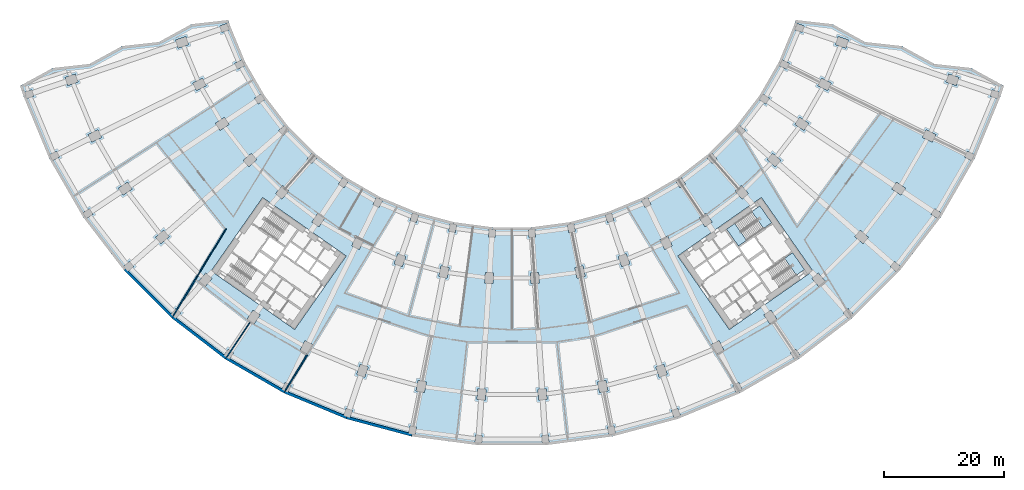
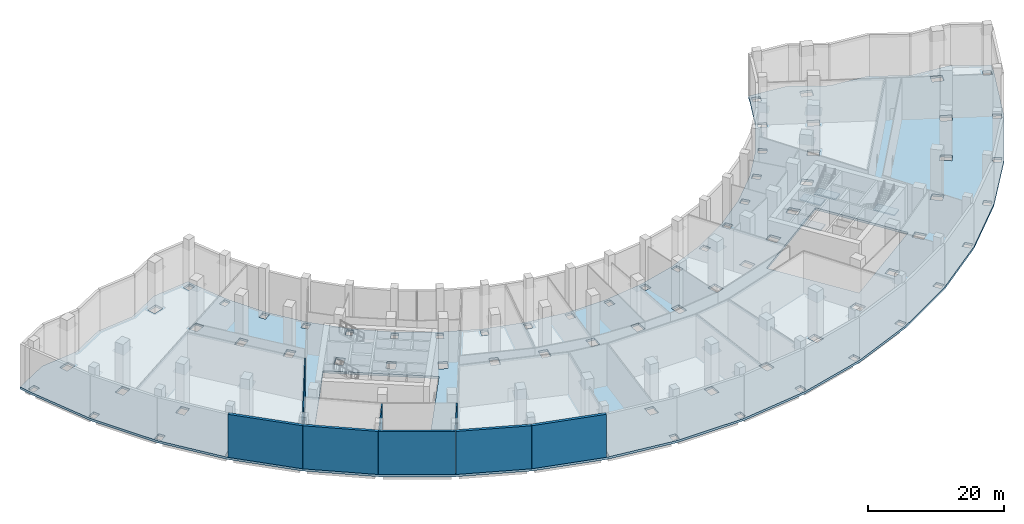
# One storey, part 4 of 19: 9 walls, 5 slabs, 2 elements without a shape of their own.
"""IFC4 building model written with IfcOpenShell, lengths in metres."""

from ifc_helpers import new_model, si_unit, direction, frame, frame_2d, origin, place, context, subcontext, project, spatial, polyline, rectangle, outline, extrude, material, layer, layer_set, type_object, element, aggregate, save


model = new_model("IFC4")

# Units and contexts
model_context = context("Model", 3, precision=1e-05, world=origin(), true_north=direction((0.0, 1.0)))
body_context = subcontext(model_context, "Body", "Model", "MODEL_VIEW")
ifc_project = project(units=[si_unit("LENGTHUNIT", "METRE"), si_unit("AREAUNIT", "SQUARE_METRE"), si_unit("VOLUMEUNIT", "CUBIC_METRE"), si_unit("PLANEANGLEUNIT", "RADIAN"), si_unit("MASSUNIT", "GRAM", prefix="KILO")], contexts=[model_context])

# Site, building, storey
site_placement = place(None, origin())
site = spatial("IfcSite", under=ifc_project, at=site_placement, CompositionType="ELEMENT")
building_placement = place(site_placement, origin())
building = spatial("IfcBuilding", under=site, at=building_placement, Name="Qamariyya Broadcast Tower", CompositionType="ELEMENT")
storey_placement = place(building_placement, frame((0.0, 0.0, 9.0)))
storey = spatial("IfcBuildingStorey", under=building, at=storey_placement, Name="L01", CompositionType="ELEMENT", Elevation=9.0)

# Slab
ifc_material_1 = material(Name="Concrete C40/50", Category="concrete")
ifc_layer_1 = layer(ifc_material_1, 0.39990234375)
ifc_layer_set_1 = layer_set([ifc_layer_1], Name="Post-tensioned floor slab 400 C40/50")
slab_type_1 = type_object("IfcSlabType", Name="Post-tensioned floor slab 400 C40/50", PredefinedType="FLOOR", material=ifc_layer_set_1)
slab_1_placement = place(storey_placement, frame((0.0, 0.0, -0.39990234375)))
element("IfcSlab", 1, at=slab_1_placement, inside=storey, type_object=slab_type_1, Name="Floor slab S3 L01", PredefinedType="FLOOR", context=body_context, shape_type="SweptSolid", body=[
    extrude(outline(polyline([(-76.78857421875, -23.0263671875), (-82.2353515625, -26.007568359375), (-81.672607421875, -27.72412109375), (-77.355224609375, -38.1474609375), (-71.71435546875, -47.91796875), (-64.84619140625, -56.86865234375), (-56.86865234375, -64.84619140625), (-47.91796875, -71.71435546875), (-38.1474609375, -77.355224609375), (-27.72412109375, -81.672607421875), (-16.82666015625, -84.5927734375), (-5.64111328125, -86.0654296875), (5.64111328125, -86.0654296875), (16.82666015625, -84.5927734375), (27.72412109375, -81.672607421875), (38.1474609375, -77.355224609375), (47.91796875, -71.71435546875), (56.86865234375, -64.84619140625), (64.84619140625, -56.86865234375), (71.71435546875, -47.91796875), (77.355224609375, -38.1474609375), (81.672607421875, -27.72412109375), (82.2353515625, -26.007568359375), (76.78857421875, -23.0263671875), (70.635009765625, -22.3388671875), (65.1865234375, -19.357421875), (59.03466796875, -18.670166015625), (53.583984375, -15.68798828125), (47.434326171875, -15.00146484375), (47.10986328125, -15.99169921875), (44.619384765625, -22.00390625), (41.36572265625, -27.6396484375), (37.404052734375, -32.802490234375), (32.802490234375, -37.404052734375), (27.6396484375, -41.36572265625), (22.00390625, -44.619384765625), (15.99169921875, -47.10986328125), (9.705810546875, -48.794189453125), (3.25390625, -49.6435546875), (-3.25390625, -49.6435546875), (-9.705810546875, -48.794189453125), (-15.99169921875, -47.10986328125), (-22.00390625, -44.619384765625), (-27.6396484375, -41.36572265625), (-32.802490234375, -37.404052734375), (-37.404052734375, -32.802490234375), (-41.36572265625, -27.6396484375), (-44.619384765625, -22.00390625), (-47.10986328125, -15.99169921875), (-47.434326171875, -15.00146484375), (-53.583984375, -15.68798828125), (-59.03466796875, -18.670166015625), (-65.1865234375, -19.357421875), (-70.635009765625, -22.3388671875), (-76.78857421875, -23.0263671875)]), holes=[polyline([(-27.714599609375, -79.93359375), (-26.6728515625, -80.287109375), (-27.0908203125, -81.51806640625), (-28.132568359375, -81.16455078125), (-27.714599609375, -79.93359375)]), polyline([(-37.910888671875, -75.632080078125), (-36.92431640625, -76.11865234375), (-37.499267578125, -77.28466796875), (-38.48583984375, -76.798095703125), (-37.910888671875, -75.632080078125)]), polyline([(-47.45849609375, -70.036865234375), (-46.5439453125, -70.64794921875), (-47.26611328125, -71.728759765625), (-48.180908203125, -71.11767578125), (-47.45849609375, -70.036865234375)]), polyline([(-33.362060546875, -69.234375), (-34.158203125, -70.8486328125), (-35.413818359375, -70.2294921875), (-34.61767578125, -68.614990234375), (-33.362060546875, -69.234375)]), polyline([(-42.113525390625, -64.287353515625), (-43.113525390625, -65.783935546875), (-44.277587890625, -65.006103515625), (-43.277587890625, -63.509521484375), (-42.113525390625, -64.287353515625)]), polyline([(-56.194091796875, -63.242919921875), (-55.3671875, -63.96826171875), (-56.224365234375, -64.94580078125), (-57.05126953125, -64.220458984375), (-56.194091796875, -63.242919921875)]), polyline([(-51.197021484375, -57.3173828125), (-50.14453125, -58.240478515625), (-51.331298828125, -59.59375), (-52.3837890625, -58.670654296875), (-51.197021484375, -57.3173828125)]), polyline([(-63.96826171875, -55.3671875), (-63.242919921875, -56.194091796875), (-64.220458984375, -57.05126953125), (-64.94580078125, -56.224365234375), (-63.96826171875, -55.3671875)]), polyline([(-27.719970703125, -54.447021484375), (-36.32373046875, -66.734375), (-50.286376953125, -56.95751953125), (-41.6826171875, -44.67041015625), (-27.719970703125, -54.447021484375)]), polyline([(-57.3173828125, -51.197021484375), (-58.670654296875, -52.3837890625), (-59.59375, -51.331298828125), (-58.240478515625, -50.14453125), (-57.3173828125, -51.197021484375)]), polyline([(-32.444091796875, -47.2958984375), (-31.280029296875, -48.07373046875), (-32.280029296875, -49.5703125), (-33.444091796875, -48.79248046875), (-32.444091796875, -47.2958984375)]), polyline([(-70.64794921875, -46.5439453125), (-70.036865234375, -47.45849609375), (-71.11767578125, -48.180908203125), (-71.728759765625, -47.26611328125), (-70.64794921875, -46.5439453125)]), polyline([(-38.33984375, -42.656494140625), (-37.287109375, -43.57958984375), (-38.47412109375, -44.932861328125), (-39.526611328125, -44.009765625), (-38.33984375, -42.656494140625)]), polyline([(-63.509521484375, -43.277587890625), (-65.006103515625, -44.277587890625), (-65.783935546875, -43.113525390625), (-64.287353515625, -42.113525390625), (-63.509521484375, -43.277587890625)]), polyline([(-27.376708984375, -41.962158203125), (-28.09912109375, -43.043212890625), (-29.013671875, -42.431884765625), (-28.291259765625, -41.35107421875), (-27.376708984375, -41.962158203125)]), polyline([(-43.57958984375, -37.287109375), (-42.656494140625, -38.33984375), (-44.009765625, -39.526611328125), (-44.932861328125, -38.47412109375), (-43.57958984375, -37.287109375)]), polyline([(-33.44677734375, -37.304443359375), (-32.61962890625, -38.02978515625), (-33.476806640625, -39.00732421875), (-34.303955078125, -38.281982421875), (-33.44677734375, -37.304443359375)]), polyline([(-76.11865234375, -36.92431640625), (-75.632080078125, -37.910888671875), (-76.798095703125, -38.48583984375), (-77.28466796875, -37.499267578125), (-76.11865234375, -36.92431640625)]), polyline([(-68.614990234375, -34.61767578125), (-70.2294921875, -35.413818359375), (-70.8486328125, -34.158203125), (-69.234375, -33.362060546875), (-68.614990234375, -34.61767578125)]), polyline([(-37.304443359375, -33.44677734375), (-38.281982421875, -34.303955078125), (-39.00732421875, -33.476806640625), (-38.02978515625, -32.61962890625), (-37.304443359375, -33.44677734375)]), polyline([(-48.07373046875, -31.280029296875), (-47.2958984375, -32.444091796875), (-48.79248046875, -33.444091796875), (-49.5703125, -32.280029296875), (-48.07373046875, -31.280029296875)]), polyline([(-41.962158203125, -27.376708984375), (-41.35107421875, -28.291259765625), (-42.431884765625, -29.013671875), (-43.043212890625, -28.09912109375), (-41.962158203125, -27.376708984375)]), polyline([(-80.287109375, -26.6728515625), (-79.93359375, -27.714599609375), (-81.16455078125, -28.132568359375), (-81.51806640625, -27.0908203125), (-80.287109375, -26.6728515625)]), polyline([(-51.1259765625, -25.9931640625), (-52.740478515625, -26.789306640625), (-53.359619140625, -25.533447265625), (-51.745361328125, -24.737548828125), (-51.1259765625, -25.9931640625)]), polyline([(-72.546630859375, -25.365478515625), (-74.2509765625, -25.944091796875), (-74.701171875, -24.618408203125), (-72.99658203125, -24.039794921875), (-72.546630859375, -25.365478515625)]), polyline([(-45.176513671875, -21.665283203125), (-44.690185546875, -22.65185546875), (-45.85595703125, -23.226806640625), (-46.342529296875, -22.240478515625), (-45.176513671875, -21.665283203125)]), polyline([(-54.531494140625, -17.771728515625), (-54.08154296875, -19.097412109375), (-55.785888671875, -19.676025390625), (-56.23583984375, -18.350341796875), (-54.531494140625, -17.771728515625)]), polyline([(-47.617919921875, -15.583251953125), (-47.264404296875, -16.625), (-48.495361328125, -17.042724609375), (-48.84912109375, -16.001220703125), (-47.617919921875, -15.583251953125)]), polyline([(6.08203125, -84.3828125), (6.1669921875, -85.68017578125), (5.0693359375, -85.751953125), (4.984375, -84.454833984375), (6.08203125, -84.3828125)]), polyline([(-4.984375, -84.454833984375), (-5.0693359375, -85.751953125), (-6.1669921875, -85.68017578125), (-6.08203125, -84.3828125), (-4.984375, -84.454833984375)]), polyline([(-17.044189453125, -82.8671875), (-15.965087890625, -83.081787109375), (-16.21875, -84.356689453125), (-17.297607421875, -84.14208984375), (-17.044189453125, -82.8671875)]), polyline([(15.965087890625, -83.081787109375), (17.044189453125, -82.8671875), (17.297607421875, -84.14208984375), (16.21875, -84.356689453125), (15.965087890625, -83.081787109375)]), polyline([(26.6728515625, -80.287109375), (27.714599609375, -79.93359375), (28.132568359375, -81.16455078125), (27.0908203125, -81.51806640625), (26.6728515625, -80.287109375)]), polyline([(-4.32763671875, -76.731201171875), (-4.445556640625, -78.52734375), (-5.842529296875, -78.435791015625), (-5.724853515625, -76.6396484375), (-4.32763671875, -76.731201171875)]), polyline([(5.724853515625, -76.6396484375), (5.842529296875, -78.435791015625), (4.445556640625, -78.52734375), (4.32763671875, -76.731201171875), (5.724853515625, -76.6396484375)]), polyline([(-15.67919921875, -75.23681640625), (-14.30615234375, -75.510009765625), (-14.6572265625, -77.275390625), (-16.030517578125, -77.002197265625), (-15.67919921875, -75.23681640625)]), polyline([(15.67919921875, -75.23681640625), (16.030517578125, -77.002197265625), (14.6572265625, -77.275390625), (14.30615234375, -75.510009765625), (15.67919921875, -75.23681640625)]), polyline([(-24.039794921875, -72.99658203125), (-24.618408203125, -74.701171875), (-25.944091796875, -74.2509765625), (-25.365478515625, -72.546630859375), (-24.039794921875, -72.99658203125)]), polyline([(24.039794921875, -72.99658203125), (25.365478515625, -72.546630859375), (25.944091796875, -74.2509765625), (24.618408203125, -74.701171875), (24.039794921875, -72.99658203125)]), polyline([(4.449462890625, -57.181396484375), (4.567138671875, -58.9775390625), (3.170166015625, -59.069091796875), (3.05224609375, -57.27294921875), (4.449462890625, -57.181396484375)]), polyline([(-3.05224609375, -57.27294921875), (-3.170166015625, -59.069091796875), (-4.567138671875, -58.9775390625), (-4.449462890625, -57.181396484375), (-3.05224609375, -57.27294921875)]), polyline([(10.501953125, -56.384521484375), (11.875, -56.111572265625), (12.22607421875, -57.876953125), (10.85302734375, -58.14990234375), (10.501953125, -56.384521484375)]), polyline([(-11.875, -56.111572265625), (-10.501953125, -56.384521484375), (-10.85302734375, -58.14990234375), (-12.22607421875, -57.876953125), (-11.875, -56.111572265625)]), polyline([(17.771728515625, -54.531494140625), (19.097412109375, -54.08154296875), (19.676025390625, -55.785888671875), (18.350341796875, -56.23583984375), (17.771728515625, -54.531494140625)]), polyline([(-17.771728515625, -54.531494140625), (-18.350341796875, -56.23583984375), (-19.676025390625, -55.785888671875), (-19.097412109375, -54.08154296875), (-17.771728515625, -54.531494140625)]), polyline([(-24.737548828125, -51.745361328125), (-25.533447265625, -53.359619140625), (-26.789306640625, -52.740478515625), (-25.9931640625, -51.1259765625), (-24.737548828125, -51.745361328125)]), polyline([(24.737548828125, -51.745361328125), (25.9931640625, -51.1259765625), (26.789306640625, -52.740478515625), (25.533447265625, -53.359619140625), (24.737548828125, -51.745361328125)]), polyline([(-3.825439453125, -49.956787109375), (-2.727783203125, -50.02880859375), (-2.81298828125, -51.325927734375), (-3.91064453125, -51.25390625), (-3.825439453125, -49.956787109375)]), polyline([(2.727783203125, -50.02880859375), (3.825439453125, -49.956787109375), (3.91064453125, -51.25390625), (2.81298828125, -51.325927734375), (2.727783203125, -50.02880859375)]), polyline([(-9.234619140625, -49.24462890625), (-9.48828125, -50.519775390625), (-10.567138671875, -50.30517578125), (-10.3134765625, -49.030029296875), (-9.234619140625, -49.24462890625)]), polyline([(10.3134765625, -49.030029296875), (10.567138671875, -50.30517578125), (9.48828125, -50.519775390625), (9.234619140625, -49.24462890625), (10.3134765625, -49.030029296875)]), polyline([(15.583251953125, -47.617919921875), (16.625, -47.264404296875), (17.042724609375, -48.495361328125), (16.001220703125, -48.84912109375), (15.583251953125, -47.617919921875)]), polyline([(-16.625, -47.264404296875), (-15.583251953125, -47.617919921875), (-16.001220703125, -48.84912109375), (-17.042724609375, -48.495361328125), (-16.625, -47.264404296875)]), polyline([(21.665283203125, -45.176513671875), (22.65185546875, -44.690185546875), (23.226806640625, -45.85595703125), (22.240478515625, -46.342529296875), (21.665283203125, -45.176513671875)]), polyline([(-21.665283203125, -45.176513671875), (-22.240478515625, -46.342529296875), (-23.226806640625, -45.85595703125), (-22.65185546875, -44.690185546875), (-21.665283203125, -45.176513671875)]), polyline([(28.291259765625, -41.35107421875), (29.013671875, -42.431884765625), (28.09912109375, -43.043212890625), (27.376708984375, -41.962158203125), (28.291259765625, -41.35107421875)]), polyline([(36.92431640625, -76.11865234375), (37.910888671875, -75.632080078125), (38.48583984375, -76.798095703125), (37.499267578125, -77.28466796875), (36.92431640625, -76.11865234375)]), polyline([(46.5439453125, -70.64794921875), (47.45849609375, -70.036865234375), (48.180908203125, -71.11767578125), (47.26611328125, -71.728759765625), (46.5439453125, -70.64794921875)]), polyline([(33.362060546875, -69.234375), (34.61767578125, -68.614990234375), (35.413818359375, -70.2294921875), (34.158203125, -70.8486328125), (33.362060546875, -69.234375)]), polyline([(43.277587890625, -63.509521484375), (44.277587890625, -65.006103515625), (43.113525390625, -65.783935546875), (42.113525390625, -64.287353515625), (43.277587890625, -63.509521484375)]), polyline([(56.194091796875, -63.242919921875), (57.05126953125, -64.220458984375), (56.224365234375, -64.94580078125), (55.3671875, -63.96826171875), (56.194091796875, -63.242919921875)]), polyline([(50.14453125, -58.240478515625), (51.197021484375, -57.3173828125), (52.3837890625, -58.670654296875), (51.331298828125, -59.59375), (50.14453125, -58.240478515625)]), polyline([(63.242919921875, -56.194091796875), (63.96826171875, -55.3671875), (64.94580078125, -56.224365234375), (64.220458984375, -57.05126953125), (63.242919921875, -56.194091796875)]), polyline([(27.719970703125, -54.447021484375), (41.6826171875, -44.67041015625), (50.286376953125, -56.95751953125), (36.32373046875, -66.734375), (27.719970703125, -54.447021484375)]), polyline([(58.240478515625, -50.14453125), (59.59375, -51.331298828125), (58.670654296875, -52.3837890625), (57.3173828125, -51.197021484375), (58.240478515625, -50.14453125)]), polyline([(32.444091796875, -47.2958984375), (33.444091796875, -48.79248046875), (32.280029296875, -49.5703125), (31.280029296875, -48.07373046875), (32.444091796875, -47.2958984375)]), polyline([(70.036865234375, -47.45849609375), (70.64794921875, -46.5439453125), (71.728759765625, -47.26611328125), (71.11767578125, -48.180908203125), (70.036865234375, -47.45849609375)]), polyline([(37.287109375, -43.57958984375), (38.33984375, -42.656494140625), (39.526611328125, -44.009765625), (38.47412109375, -44.932861328125), (37.287109375, -43.57958984375)]), polyline([(63.509521484375, -43.277587890625), (64.287353515625, -42.113525390625), (65.783935546875, -43.113525390625), (65.006103515625, -44.277587890625), (63.509521484375, -43.277587890625)]), polyline([(43.57958984375, -37.287109375), (44.932861328125, -38.47412109375), (44.009765625, -39.526611328125), (42.656494140625, -38.33984375), (43.57958984375, -37.287109375)]), polyline([(33.44677734375, -37.304443359375), (34.303955078125, -38.281982421875), (33.476806640625, -39.00732421875), (32.61962890625, -38.02978515625), (33.44677734375, -37.304443359375)]), polyline([(75.632080078125, -37.910888671875), (76.11865234375, -36.92431640625), (77.28466796875, -37.499267578125), (76.798095703125, -38.48583984375), (75.632080078125, -37.910888671875)]), polyline([(68.614990234375, -34.61767578125), (69.234375, -33.362060546875), (70.8486328125, -34.158203125), (70.2294921875, -35.413818359375), (68.614990234375, -34.61767578125)]), polyline([(37.304443359375, -33.44677734375), (38.02978515625, -32.61962890625), (39.00732421875, -33.476806640625), (38.281982421875, -34.303955078125), (37.304443359375, -33.44677734375)]), polyline([(48.07373046875, -31.280029296875), (49.5703125, -32.280029296875), (48.79248046875, -33.444091796875), (47.2958984375, -32.444091796875), (48.07373046875, -31.280029296875)]), polyline([(41.962158203125, -27.376708984375), (43.043212890625, -28.09912109375), (42.431884765625, -29.013671875), (41.35107421875, -28.291259765625), (41.962158203125, -27.376708984375)]), polyline([(79.93359375, -27.714599609375), (80.287109375, -26.6728515625), (81.51806640625, -27.0908203125), (81.16455078125, -28.132568359375), (79.93359375, -27.714599609375)]), polyline([(51.745361328125, -24.737548828125), (53.359619140625, -25.533447265625), (52.740478515625, -26.789306640625), (51.1259765625, -25.9931640625), (51.745361328125, -24.737548828125)]), polyline([(72.99658203125, -24.039794921875), (74.701171875, -24.618408203125), (74.2509765625, -25.944091796875), (72.546630859375, -25.365478515625), (72.99658203125, -24.039794921875)]), polyline([(44.690185546875, -22.65185546875), (45.176513671875, -21.665283203125), (46.342529296875, -22.240478515625), (45.85595703125, -23.226806640625), (44.690185546875, -22.65185546875)]), polyline([(54.531494140625, -17.771728515625), (56.23583984375, -18.350341796875), (55.785888671875, -19.676025390625), (54.08154296875, -19.097412109375), (54.531494140625, -17.771728515625)]), polyline([(47.617919921875, -15.583251953125), (48.84912109375, -16.001220703125), (48.495361328125, -17.042724609375), (47.264404296875, -16.625), (47.617919921875, -15.583251953125)])]), origin(), (0.0, 0.0, 1.0), 0.39990234375),
])

# Stair, slabs
ifc_material_2 = material(Name="Concrete C50/60", Category="concrete")
stair_type = type_object("IfcStairType", Name="Exit stair 52 risers of 173 mm", PredefinedType="HALF_TURN_STAIR", material=ifc_material_2)
stair_1_placement = place(storey_placement, origin())
stair_1 = element("IfcStair", 2, at=stair_1_placement, inside=storey, type_object=stair_type, Name="L01 Stair E2", PredefinedType="HALF_TURN_STAIR")
ifc_layer_2 = layer(ifc_material_2, 0.199951171875)
ifc_layer_set_2 = layer_set([ifc_layer_2], Name="Stair landing")
slab_type_2 = type_object("IfcSlabType", Name="Stair landing", PredefinedType="LANDING", material=ifc_layer_set_2)
slab_2_placement = place(storey_placement, frame((0.0, 0.0, 2.050048828125)))
slab_2 = element("IfcSlab", 3, at=slab_2_placement, type_object=slab_type_2, Name="ST-E2 landing 1", PredefinedType="LANDING", context=body_context, shape_type="SweptSolid", body=[
    extrude(outline(polyline([(37.23828125, -49.003173828125), (35.870849609375, -49.960693359375), (37.849609375, -52.78662109375), (39.217041015625, -51.829345703125), (37.23828125, -49.003173828125)])), origin(), (0.0, 0.0, 1.0), 0.199951171875),
])
slab_3_placement = place(storey_placement, frame((0.0, 0.0, 4.300048828125)))
slab_3 = element("IfcSlab", 4, at=slab_3_placement, type_object=slab_type_2, Name="ST-E2 landing 2", PredefinedType="LANDING", context=body_context, shape_type="SweptSolid", body=[
    extrude(outline(polyline([(41.437255859375, -46.06298828125), (40.082275390625, -47.01171875), (42.06103515625, -49.837890625), (43.416015625, -48.88916015625), (41.437255859375, -46.06298828125)])), origin(), (0.0, 0.0, 1.0), 0.199951171875),
])
slab_4_placement = place(storey_placement, frame((0.0, 0.0, 6.550048828125)))
slab_4 = element("IfcSlab", 5, at=slab_4_placement, type_object=slab_type_2, Name="ST-E2 landing 3", PredefinedType="LANDING", context=body_context, shape_type="SweptSolid", body=[
    extrude(outline(polyline([(37.23828125, -49.003173828125), (35.870849609375, -49.960693359375), (37.849609375, -52.78662109375), (39.217041015625, -51.829345703125), (37.23828125, -49.003173828125)])), origin(), (0.0, 0.0, 1.0), 0.199951171875),
])
aggregate(stair_1, [slab_2, slab_3, slab_4])

# Stair, slab
stair_2_placement = place(storey_placement, origin())
stair_2 = element("IfcStair", 6, at=stair_2_placement, inside=storey, type_object=stair_type, Name="L01 Stair E1", PredefinedType="HALF_TURN_STAIR")
slab_5_placement = place(storey_placement, frame((0.0, 0.0, 4.300048828125)))
slab_5 = element("IfcSlab", 7, at=slab_5_placement, type_object=slab_type_2, Name="ST-E1 landing 2", PredefinedType="LANDING", context=body_context, shape_type="SweptSolid", body=[
    extrude(outline(polyline([(46.914794921875, -53.885986328125), (45.559814453125, -54.834716796875), (47.538818359375, -57.66064453125), (48.8935546875, -56.7119140625), (46.914794921875, -53.885986328125)])), origin(), (0.0, 0.0, 1.0), 0.199951171875),
])
aggregate(stair_2, [slab_5])

# Walls
ifc_material_3 = material(Name="Gypsum board partition")
ifc_layer_3 = layer(ifc_material_3, 0.14990234375)
ifc_layer_set_3 = layer_set([ifc_layer_3], Name="Corridor partition 150 EI 60")
wall_type_1 = type_object("IfcWallType", Name="Corridor partition 150 EI 60", PredefinedType="PARTITIONING", material=ifc_layer_set_3)
wall_1_placement = place(storey_placement, frame((-47.8076171875, -49.929443359375, 0.0), z_axis=(0.0, 0.0, 1.0), x_axis=(-0.519169679695, -0.854671190392, 0.0)))
element("IfcWall", 8, at=wall_1_placement, inside=storey, type_object=wall_type_1, Name="Partition L01-008", PredefinedType="PARTITIONING", context=body_context, shape_type="SweptSolid", body=[
    extrude(rectangle(XDim=9.877685546875, YDim=0.14990234375, at=frame_2d((4.93896484375, 0.0))), origin(), (0.0, 0.0, 1.0), 7.60009765625),
])
ifc_material_4 = material(Name="Precast concrete C40/50 with terracotta facing", Category="masonry")
ifc_layer_4 = layer(ifc_material_4, 0.449951171875)
ifc_layer_set_4 = layer_set([ifc_layer_4], Name="Precast concrete C40/50 wall 450, terracotta faced")
wall_type_2 = type_object("IfcWallType", Name="Precast concrete C40/50 wall 450, terracotta faced", PredefinedType="SOLIDWALL", material=ifc_layer_set_4)
wall_2_placement = place(storey_placement, frame((-64.69775390625, -56.69873046875, 0.0), z_axis=(0.0, 0.0, 1.0), x_axis=(0.707106781187, -0.707106781187, 0.0)))
element("IfcWall", 9, at=wall_2_placement, inside=storey, type_object=wall_type_2, Name="e-wl-L01-out40", PredefinedType="SOLIDWALL", context=body_context, shape_type="SweptSolid", body=[
    extrude(rectangle(XDim=11.312255859375, YDim=0.449951171875, at=frame_2d((5.65625, 0.0))), origin(), (0.0, 0.0, 1.0), 7.699951171875),
])
wall_3_placement = place(storey_placement, frame((-56.673095703125, -64.712646484375, 0.0), z_axis=(0.0, 0.0, 1.0), x_axis=(0.793355377778, -0.608758773695, 0.0)))
element("IfcWall", 10, at=wall_3_placement, inside=storey, type_object=wall_type_2, Name="e-wl-L01-out50", PredefinedType="SOLIDWALL", context=body_context, shape_type="SweptSolid", body=[
    extrude(rectangle(XDim=11.134765625, YDim=0.449951171875, at=frame_2d((5.5673828125, 0.0))), origin(), (0.0, 0.0, 1.0), 7.699951171875),
])
wall_4_placement = place(storey_placement, frame((-47.818603515625, -71.51171875, 0.0), z_axis=(0.0, 0.0, 1.0), x_axis=(0.866024577697, -0.500001430823, 0.0)))
element("IfcWall", 11, at=wall_4_placement, inside=storey, type_object=wall_type_2, Name="e-wl-L01-out60", PredefinedType="SOLIDWALL", context=body_context, shape_type="SweptSolid", body=[
    extrude(rectangle(XDim=11.3125, YDim=0.449951171875, at=frame_2d((5.65625, 0.0))), origin(), (0.0, 0.0, 1.0), 7.699951171875),
])
wall_5_placement = place(storey_placement, frame((-37.9931640625, -77.175537109375, 0.0), z_axis=(0.0, 0.0, 1.0), x_axis=(0.923874126662, -0.382696482978, 0.0)))
element("IfcWall", 12, at=wall_5_placement, inside=storey, type_object=wall_type_2, Name="e-wl-L01-out70", PredefinedType="SOLIDWALL", context=body_context, shape_type="SweptSolid", body=[
    extrude(rectangle(XDim=11.134765625, YDim=0.449951171875, at=frame_2d((5.5673828125, 0.0))), origin(), (0.0, 0.0, 1.0), 7.699951171875),
])
wall_6_placement = place(storey_placement, frame((-27.6806640625, -81.451416015625, 0.0), z_axis=(0.0, 0.0, 1.0), x_axis=(0.965923678926, -0.258827059038, 0.0)))
element("IfcWall", 13, at=wall_6_placement, inside=storey, type_object=wall_type_2, Name="e-wl-L01-out80", PredefinedType="SOLIDWALL", context=body_context, shape_type="SweptSolid", body=[
    extrude(rectangle(XDim=11.3125, YDim=0.449951171875, at=frame_2d((5.65625, 0.0))), origin(), (0.0, 0.0, 1.0), 7.699951171875),
])
ifc_layer_5 = layer(ifc_material_3, 0.179931640625)
ifc_layer_set_5 = layer_set([ifc_layer_5], Name="Studio acoustic partition 180 EI 60")
wall_type_3 = type_object("IfcWallType", Name="Studio acoustic partition 180 EI 60", PredefinedType="PARTITIONING", material=ifc_layer_set_5)
wall_7_placement = place(storey_placement, frame((-52.935791015625, -58.37158203125, 0.0), z_axis=(0.0, 0.0, 1.0), x_axis=(-0.519148894699, -0.854683815883, 0.0)))
element("IfcWall", 14, at=wall_7_placement, inside=storey, type_object=wall_type_3, Name="Partition L01-004", PredefinedType="PARTITIONING", context=body_context, shape_type="SweptSolid", body=[
    extrude(rectangle(XDim=7.12548828125, YDim=0.179931640625, at=frame_2d((3.562744140625, 0.0))), origin(), (0.0, 0.0, 1.0), 7.60009765625),
])
wall_8_placement = place(storey_placement, frame((-47.66796875, -71.340087890625, 0.0), z_axis=(0.0, 0.0, 1.0), x_axis=(0.555588604147, 0.831457336814, 0.0)))
element("IfcWall", 15, at=wall_8_placement, inside=storey, type_object=wall_type_3, Name="Partition L01-006", PredefinedType="PARTITIONING", context=body_context, shape_type="SweptSolid", body=[
    extrude(rectangle(XDim=6.909912109375, YDim=0.179931640625, at=frame_2d((3.455078125, 0.0))), origin(), (0.0, 0.0, 1.0), 7.60009765625),
])
wall_9_placement = place(storey_placement, frame((-34.260009765625, -70.962646484375, 0.0), z_axis=(0.0, 0.0, 1.0), x_axis=(-0.519582317334, -0.854420397412, 0.0)))
element("IfcWall", 16, at=wall_9_placement, inside=storey, type_object=wall_type_3, Name="Partition L01-015", PredefinedType="PARTITIONING", context=body_context, shape_type="SweptSolid", body=[
    extrude(rectangle(XDim=7.03173828125, YDim=0.179931640625, at=frame_2d((3.515869140625, 0.0))), origin(), (0.0, 0.0, 1.0), 7.60009765625),
])

save(model, "model.ifc")
